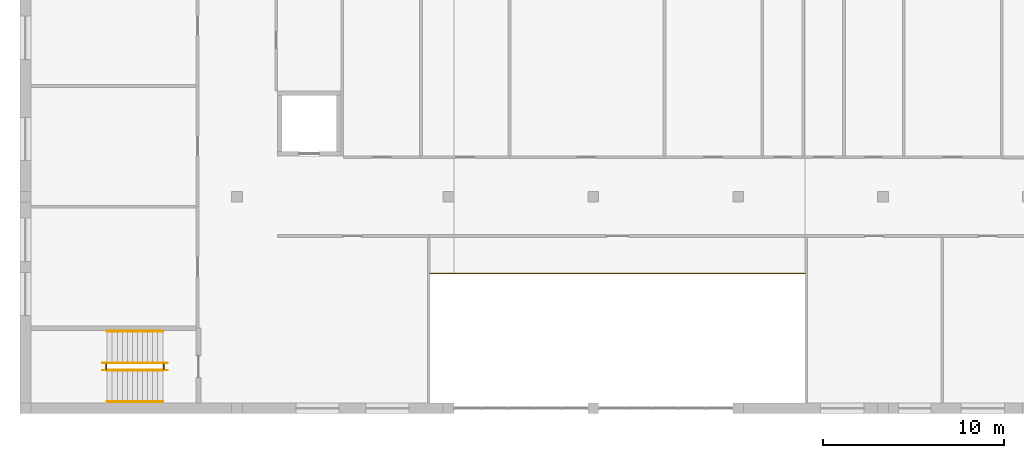
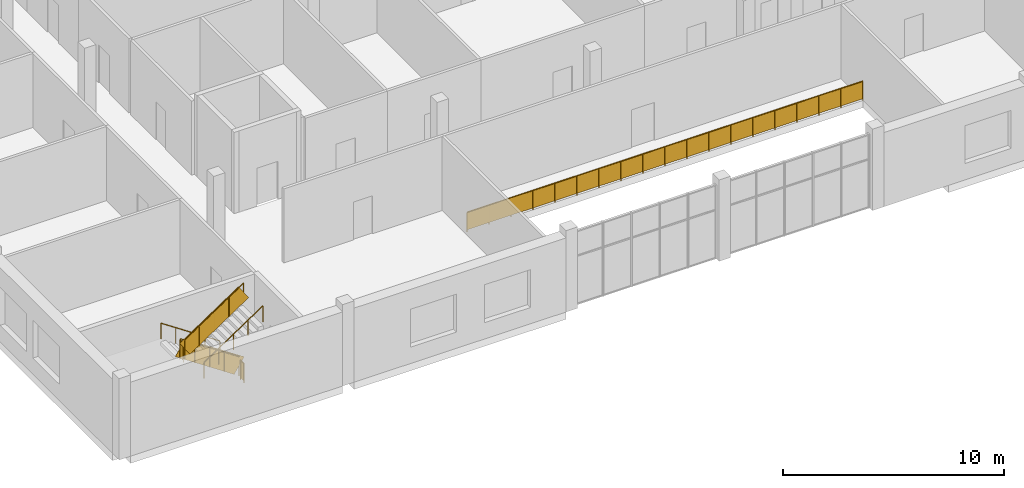
# One storey, part 20 of 27: 7 railings.
"""IFC4 building model written with IfcOpenShell, lengths in metres."""

from ifc_helpers import new_model, si_unit, direction, frame, origin, origin_2d, place, context, subcontext, project, spatial, rectangle, circle, extrude, material, type_object, element, save


model = new_model("IFC4")

# Units and contexts
model_context = context("Model", 3, precision=1e-05, world=origin(), true_north=direction((0.0, 1.0)))
body_context = subcontext(model_context, "Body", "Model", "MODEL_VIEW")
ifc_project = project(units=[si_unit("LENGTHUNIT", "METRE"), si_unit("AREAUNIT", "SQUARE_METRE"), si_unit("VOLUMEUNIT", "CUBIC_METRE"), si_unit("PLANEANGLEUNIT", "RADIAN"), si_unit("MASSUNIT", "GRAM", prefix="KILO")], contexts=[model_context])

# Site, building, storey
site_placement = place(None, origin())
site = spatial("IfcSite", under=ifc_project, at=site_placement, CompositionType="ELEMENT")
building_placement = place(site_placement, origin())
building = spatial("IfcBuilding", under=site, at=building_placement, Name="Dilmun Exchange Tower", CompositionType="ELEMENT")
storey_placement = place(building_placement, frame((0.0, 0.0, 4.5)))
storey = spatial("IfcBuildingStorey", under=building, at=storey_placement, Name="L01", CompositionType="ELEMENT", Elevation=4.5)

# Railings
ifc_material = material(Name="Steel S355", Category="steel")
railing_type_1 = type_object("IfcRailingType", Name="School floor opening guard 1100", PredefinedType="GUARDRAIL", material=ifc_material)
railing_1_placement = place(storey_placement, frame((-37.45947265625, -52.39990234375, 0.0)))
element("IfcRailing", 1, at=railing_1_placement, inside=storey, type_object=railing_type_1, Name="School main hall gallery guard", PredefinedType="GUARDRAIL", context=body_context, shape_type="SweptSolid", body=[
    extrude(circle(Radius=0.02392578125, at=origin_2d()), frame((0.0, 0.0, 1.076171875), z_axis=(1.0, 0.0, 0.0), x_axis=(0.0, 1.0, 0.0)), (0.0, 0.0, 1.0), 20.7265625),
    extrude(rectangle(XDim=0.011962890625, YDim=0.951904296875, at=origin_2d()), frame((0.0, 0.0, 0.576171875), z_axis=(1.0, 0.0, 0.0), x_axis=(0.0, 1.0, 0.0)), (0.0, 0.0, 1.0), 20.7265625),
    extrude(circle(Radius=0.02099609375, at=origin_2d()), origin(), (0.0, 0.0, 1.0), 1.052001953125),
    extrude(circle(Radius=0.02099609375, at=origin_2d()), frame((1.1513671875, 0.0, 0.0)), (0.0, 0.0, 1.0), 1.052001953125),
    extrude(circle(Radius=0.02099609375, at=origin_2d()), frame((2.302978515625, 0.0, 0.0)), (0.0, 0.0, 1.0), 1.052001953125),
    extrude(circle(Radius=0.02099609375, at=origin_2d()), frame((3.454345703125, 0.0, 0.0)), (0.0, 0.0, 1.0), 1.052001953125),
    extrude(circle(Radius=0.02099609375, at=origin_2d()), frame((4.60595703125, 0.0, 0.0)), (0.0, 0.0, 1.0), 1.052001953125),
    extrude(circle(Radius=0.02099609375, at=origin_2d()), frame((5.75732421875, 0.0, 0.0)), (0.0, 0.0, 1.0), 1.052001953125),
    extrude(circle(Radius=0.02099609375, at=origin_2d()), frame((6.908935546875, 0.0, 0.0)), (0.0, 0.0, 1.0), 1.052001953125),
    extrude(circle(Radius=0.02099609375, at=origin_2d()), frame((8.060302734375, 0.0, 0.0)), (0.0, 0.0, 1.0), 1.052001953125),
    extrude(circle(Radius=0.02099609375, at=origin_2d()), frame((9.2119140625, 0.0, 0.0)), (0.0, 0.0, 1.0), 1.052001953125),
    extrude(circle(Radius=0.02099609375, at=origin_2d()), frame((10.36328125, 0.0, 0.0)), (0.0, 0.0, 1.0), 1.052001953125),
    extrude(circle(Radius=0.02099609375, at=origin_2d()), frame((11.5146484375, 0.0, 0.0)), (0.0, 0.0, 1.0), 1.052001953125),
    extrude(circle(Radius=0.02099609375, at=origin_2d()), frame((12.666259765625, 0.0, 0.0)), (0.0, 0.0, 1.0), 1.052001953125),
    extrude(circle(Radius=0.02099609375, at=origin_2d()), frame((13.817626953125, 0.0, 0.0)), (0.0, 0.0, 1.0), 1.052001953125),
    extrude(circle(Radius=0.02099609375, at=origin_2d()), frame((14.96923828125, 0.0, 0.0)), (0.0, 0.0, 1.0), 1.052001953125),
    extrude(circle(Radius=0.02099609375, at=origin_2d()), frame((16.12060546875, 0.0, 0.0)), (0.0, 0.0, 1.0), 1.052001953125),
    extrude(circle(Radius=0.02099609375, at=origin_2d()), frame((17.272216796875, 0.0, 0.0)), (0.0, 0.0, 1.0), 1.052001953125),
    extrude(circle(Radius=0.02099609375, at=origin_2d()), frame((18.423583984375, 0.0, 0.0)), (0.0, 0.0, 1.0), 1.052001953125),
    extrude(circle(Radius=0.02099609375, at=origin_2d()), frame((19.5751953125, 0.0, 0.0)), (0.0, 0.0, 1.0), 1.052001953125),
    extrude(circle(Radius=0.02099609375, at=origin_2d()), frame((20.7265625, 0.0, 0.0)), (0.0, 0.0, 1.0), 1.052001953125),
])
railing_type_2 = type_object("IfcRailingType", Name="School stair guard 1100", PredefinedType="GUARDRAIL", material=ifc_material)
railing_2_placement = place(storey_placement, frame((-52.25, -57.35009765625, 0.1875)))
element("IfcRailing", 2, at=railing_2_placement, inside=storey, type_object=railing_type_2, Name="L01 SCH-S2 stair guard 1", PredefinedType="GUARDRAIL", context=body_context, shape_type="SweptSolid", body=[
    extrude(circle(Radius=0.02392578125, at=origin_2d()), frame((0.0, 0.0, 1.076171875), z_axis=(-0.830913701846, 0.0, 0.55640131208), x_axis=(0.0, -1.0, 0.0)), (0.0, 0.0, 1.0), 3.706787109375),
    extrude(rectangle(XDim=0.011962890625, YDim=0.951904296875, at=origin_2d()), frame((0.0, 0.0, 0.576171875), z_axis=(-0.830913701846, 0.0, 0.55640131208), x_axis=(0.0, -1.0, 0.0)), (0.0, 0.0, 1.0), 3.706787109375),
    extrude(circle(Radius=0.02099609375, at=origin_2d()), origin(), (0.0, 0.0, 1.0), 1.052001953125),
    extrude(circle(Radius=0.02099609375, at=origin_2d()), frame((-0.77001953125, 0.0, 0.515625)), (0.0, 0.0, 1.0), 1.052001953125),
    extrude(circle(Radius=0.02099609375, at=origin_2d()), frame((-1.5400390625, 0.0, 1.03125)), (0.0, 0.0, 1.0), 1.052001953125),
    extrude(circle(Radius=0.02099609375, at=origin_2d()), frame((-2.31005859375, 0.0, 1.546875)), (0.0, 0.0, 1.0), 1.052001953125),
    extrude(circle(Radius=0.02099609375, at=origin_2d()), frame((-3.080078125, 0.0, 2.0625)), (0.0, 0.0, 1.0), 1.052001953125),
])
railing_3_placement = place(storey_placement, frame((-55.3798828125, -57.39990234375, 2.25)))
element("IfcRailing", 3, at=railing_3_placement, inside=storey, type_object=railing_type_2, Name="L01 SCH-S2 stair guard 2", PredefinedType="GUARDRAIL", context=body_context, shape_type="SweptSolid", body=[
    extrude(circle(Radius=0.02392578125, at=origin_2d()), frame((0.0, 0.0, 1.076171875), z_axis=(0.0, -1.0, 0.0), x_axis=(1.0, 0.0, 0.0)), (0.0, 0.0, 1.0), 0.300048828125),
    extrude(rectangle(XDim=0.011962890625, YDim=0.951904296875, at=origin_2d()), frame((0.0, 0.0, 0.576171875), z_axis=(0.0, -1.0, 0.0), x_axis=(1.0, 0.0, 0.0)), (0.0, 0.0, 1.0), 0.300048828125),
    extrude(circle(Radius=0.02099609375, at=origin_2d()), origin(), (0.0, 0.0, 1.0), 1.052001953125),
    extrude(circle(Radius=0.02099609375, at=origin_2d()), frame((0.0, -0.300048828125, 0.0)), (0.0, 0.0, 1.0), 1.052001953125),
])
railing_4_placement = place(storey_placement, frame((-55.330078125, -57.75, 2.4375)))
element("IfcRailing", 4, at=railing_4_placement, inside=storey, type_object=railing_type_2, Name="L01 SCH-S2 stair guard 3", PredefinedType="GUARDRAIL", context=body_context, shape_type="SweptSolid", body=[
    extrude(circle(Radius=0.02392578125, at=origin_2d()), frame((0.0, 0.0, 1.076171875), z_axis=(0.830913701846, 0.0, 0.55640131208), x_axis=(0.0, 1.0, 0.0)), (0.0, 0.0, 1.0), 3.706787109375),
    extrude(rectangle(XDim=0.011962890625, YDim=0.951904296875, at=origin_2d()), frame((0.0, 0.0, 0.576171875), z_axis=(0.830913701846, 0.0, 0.55640131208), x_axis=(0.0, 1.0, 0.0)), (0.0, 0.0, 1.0), 3.706787109375),
    extrude(circle(Radius=0.02099609375, at=origin_2d()), origin(), (0.0, 0.0, 1.0), 1.052001953125),
    extrude(circle(Radius=0.02099609375, at=origin_2d()), frame((0.77001953125, 0.0, 0.515625)), (0.0, 0.0, 1.0), 1.052001953125),
    extrude(circle(Radius=0.02099609375, at=origin_2d()), frame((1.5400390625, 0.0, 1.03125)), (0.0, 0.0, 1.0), 1.052001953125),
    extrude(circle(Radius=0.02099609375, at=origin_2d()), frame((2.31005859375, 0.0, 1.546875)), (0.0, 0.0, 1.0), 1.052001953125),
    extrude(circle(Radius=0.02099609375, at=origin_2d()), frame((3.080078125, 0.0, 2.0625)), (0.0, 0.0, 1.0), 1.052001953125),
])
railing_5_placement = place(storey_placement, frame((-52.199951171875, -57.39990234375, 0.0)))
element("IfcRailing", 5, at=railing_5_placement, inside=storey, type_object=railing_type_2, Name="L01 SCH-S2 stair guard 4", PredefinedType="GUARDRAIL", context=body_context, shape_type="SweptSolid", body=[
    extrude(circle(Radius=0.02392578125, at=origin_2d()), frame((0.0, 0.0, 1.076171875), z_axis=(0.0, -1.0, 0.0), x_axis=(1.0, 0.0, 0.0)), (0.0, 0.0, 1.0), 0.300048828125),
    extrude(rectangle(XDim=0.011962890625, YDim=0.951904296875, at=origin_2d()), frame((0.0, 0.0, 0.576171875), z_axis=(0.0, -1.0, 0.0), x_axis=(1.0, 0.0, 0.0)), (0.0, 0.0, 1.0), 0.300048828125),
    extrude(circle(Radius=0.02099609375, at=origin_2d()), origin(), (0.0, 0.0, 1.0), 1.052001953125),
    extrude(circle(Radius=0.02099609375, at=origin_2d()), frame((0.0, -0.300048828125, 0.0)), (0.0, 0.0, 1.0), 1.052001953125),
])
railing_type_3 = type_object("IfcRailingType", Name="School stair handrail 900", PredefinedType="HANDRAIL", material=ifc_material)
railing_6_placement = place(storey_placement, frame((-52.25, -55.60009765625, 0.1875)))
element("IfcRailing", 6, at=railing_6_placement, inside=storey, type_object=railing_type_3, Name="L01 SCH-S2 stair handrail 1", PredefinedType="HANDRAIL", context=body_context, shape_type="SweptSolid", body=[
    extrude(circle(Radius=0.02392578125, at=origin_2d()), frame((0.0, 0.0, 0.8759765625), z_axis=(-0.830913701846, 0.0, 0.55640131208), x_axis=(0.0, -1.0, 0.0)), (0.0, 0.0, 1.0), 3.706787109375),
    extrude(circle(Radius=0.02099609375, at=origin_2d()), origin(), (0.0, 0.0, 1.0), 0.851806640625),
    extrude(circle(Radius=0.02099609375, at=origin_2d()), frame((-0.77001953125, 0.0, 0.515625)), (0.0, 0.0, 1.0), 0.851806640625),
    extrude(circle(Radius=0.02099609375, at=origin_2d()), frame((-1.5400390625, 0.0, 1.03125)), (0.0, 0.0, 1.0), 0.851806640625),
    extrude(circle(Radius=0.02099609375, at=origin_2d()), frame((-2.31005859375, 0.0, 1.546875)), (0.0, 0.0, 1.0), 0.851806640625),
    extrude(circle(Radius=0.02099609375, at=origin_2d()), frame((-3.080078125, 0.0, 2.0625)), (0.0, 0.0, 1.0), 0.851806640625),
])
railing_7_placement = place(storey_placement, frame((-55.330078125, -59.5, 2.4375)))
element("IfcRailing", 7, at=railing_7_placement, inside=storey, type_object=railing_type_3, Name="L01 SCH-S2 stair handrail 2", PredefinedType="HANDRAIL", context=body_context, shape_type="SweptSolid", body=[
    extrude(circle(Radius=0.02392578125, at=origin_2d()), frame((0.0, 0.0, 0.8759765625), z_axis=(0.830913701846, 0.0, 0.55640131208), x_axis=(0.0, 1.0, 0.0)), (0.0, 0.0, 1.0), 3.706787109375),
    extrude(circle(Radius=0.02099609375, at=origin_2d()), origin(), (0.0, 0.0, 1.0), 0.851806640625),
    extrude(circle(Radius=0.02099609375, at=origin_2d()), frame((0.77001953125, 0.0, 0.515625)), (0.0, 0.0, 1.0), 0.851806640625),
    extrude(circle(Radius=0.02099609375, at=origin_2d()), frame((1.5400390625, 0.0, 1.03125)), (0.0, 0.0, 1.0), 0.851806640625),
    extrude(circle(Radius=0.02099609375, at=origin_2d()), frame((2.31005859375, 0.0, 1.546875)), (0.0, 0.0, 1.0), 0.851806640625),
    extrude(circle(Radius=0.02099609375, at=origin_2d()), frame((3.080078125, 0.0, 2.0625)), (0.0, 0.0, 1.0), 0.851806640625),
])

save(model, "model.ifc")
